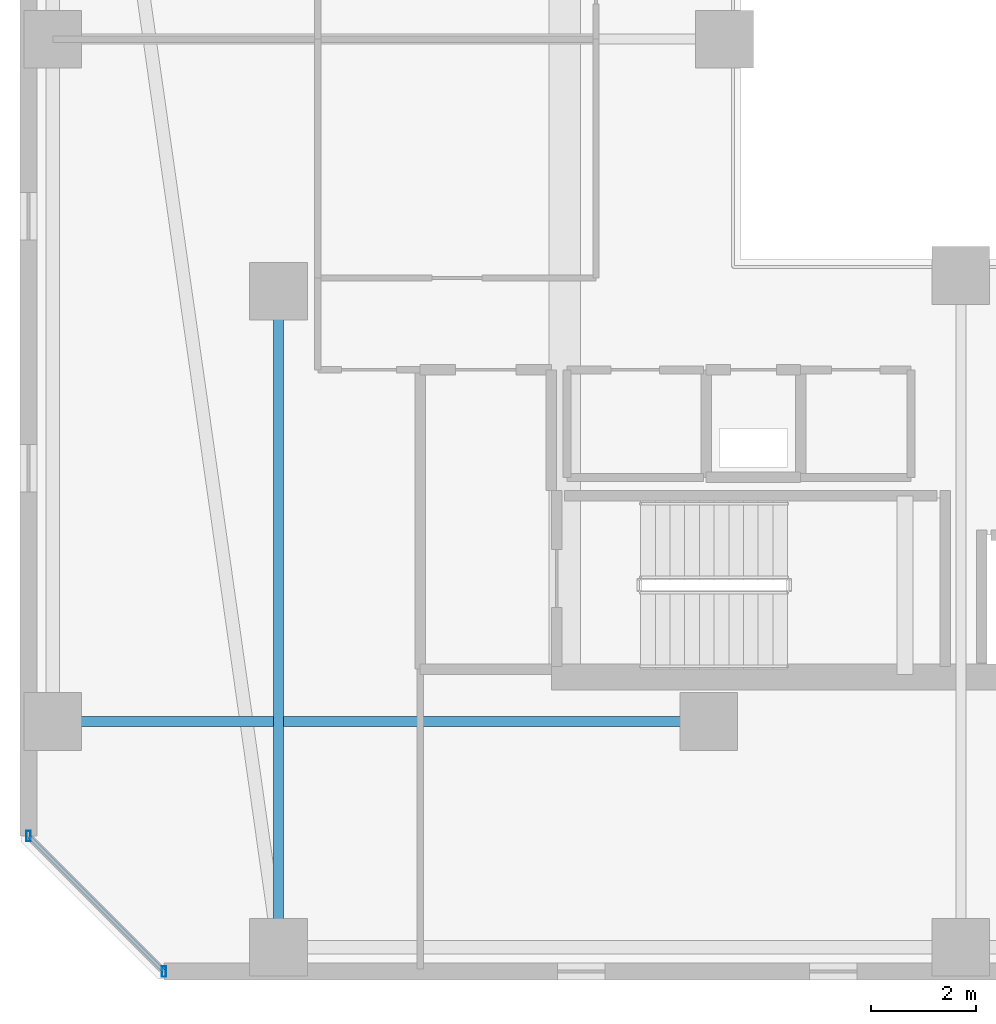
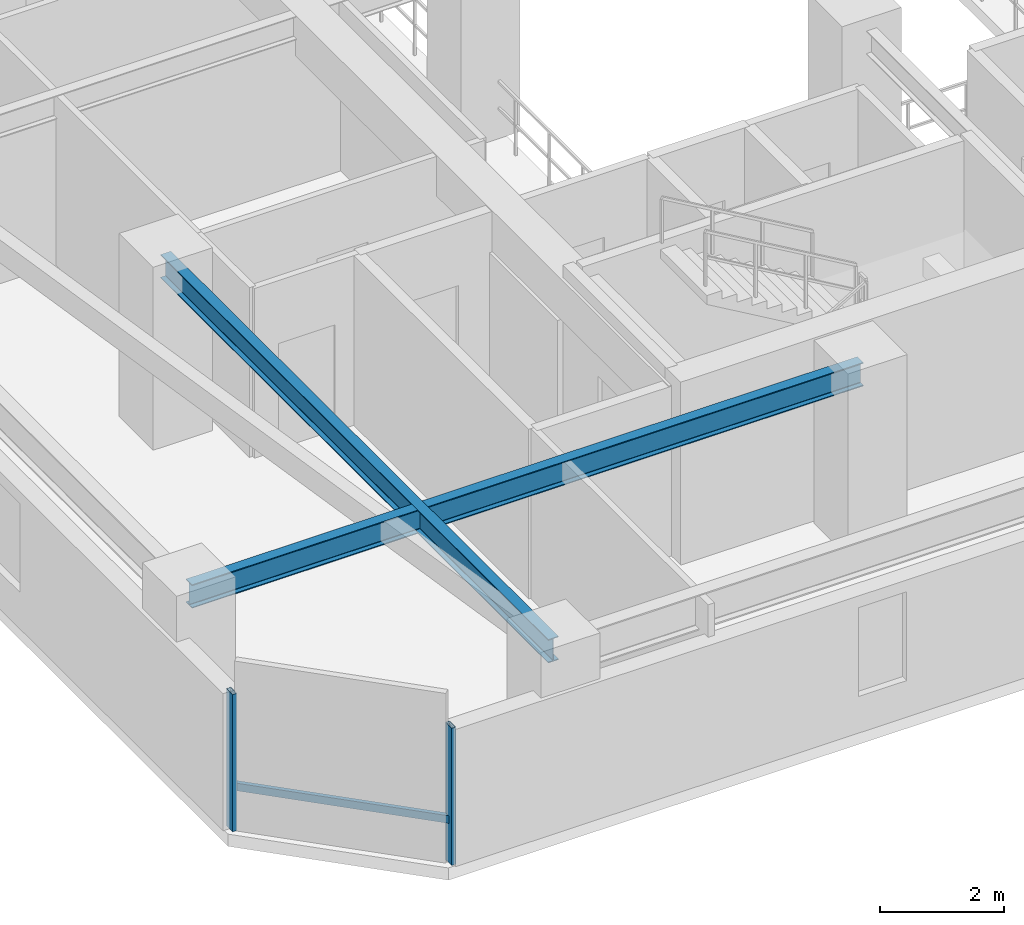
# One storey, part 3 of 33: 3 members, 2 beams, 1 element without a shape of its own.
"""IFC4 building model written with IfcOpenShell, lengths in metres."""

from ifc_helpers import new_model, si_unit, direction, frame, origin, origin_2d, place, context, subcontext, project, spatial, hollow_rectangle, i_section, extrude, material, material_profile, profile_set, type_object, element, aggregate, save


model = new_model("IFC4")

# Units and contexts
model_context = context("Model", 3, precision=1e-05, world=origin(), true_north=direction((0.0, 1.0)))
body_context = subcontext(model_context, "Body", "Model", "MODEL_VIEW")
ifc_project = project(units=[si_unit("LENGTHUNIT", "METRE"), si_unit("AREAUNIT", "SQUARE_METRE"), si_unit("VOLUMEUNIT", "CUBIC_METRE"), si_unit("PLANEANGLEUNIT", "RADIAN"), si_unit("MASSUNIT", "GRAM", prefix="KILO")], contexts=[model_context])

# Site, building, storey
site_placement = place(None, origin())
site = spatial("IfcSite", under=ifc_project, at=site_placement, CompositionType="ELEMENT")
building_placement = place(site_placement, origin())
building = spatial("IfcBuilding", under=site, at=building_placement, Name="Thornwick Lancets Civic Towers", CompositionType="ELEMENT")
storey_placement = place(building_placement, frame((0.0, 0.0, 192.89990234375)))
storey = spatial("IfcBuildingStorey", under=building, at=storey_placement, Name="L51", CompositionType="ELEMENT", Elevation=192.89990234375)

# Beams
ifc_material_1 = material(Name="Steel S355JR", Category="steel")
ifc_material_profile_1 = material_profile(ifc_material_1, i_section(OverallWidth=0.19189453125, OverallDepth=0.46337890625, WebThickness=0.010498046875, FlangeThickness=0.017578125, FilletRadius=0.01025390625, at=origin_2d()), Name="UKB 457x191x89")
ifc_profile_set_1 = profile_set([ifc_material_profile_1], Name="Steel S355JR")
beam_type = type_object("IfcBeamType", Name="BM_JOIST_457_89", PredefinedType="JOIST", material=ifc_profile_set_1)
for number, where, z_axis, x_axis, name in (
    (1, (12.5, 22.199951171875, 3.12841796875), (0.0, -1.0, 0.0), (1.0, 0.0, 0.0), "BM-RADIN-L51-A01"),
    (2, (20.699951171875, 14.0, 3.12841796875), (-1.0, 0.0, 0.0), (0.0, -1.0, 0.0), "BM-RADIN-L51-A10"),
):
    element("IfcBeam", number, at=place(storey_placement, frame(where, z_axis=z_axis, x_axis=x_axis)), inside=storey, type_object=beam_type, Name=name, PredefinedType="JOIST", context=body_context, shape_type="SweptSolid", body=[
        extrude(i_section(OverallWidth=0.19189453125, OverallDepth=0.46337890625, WebThickness=0.010498046875, FlangeThickness=0.017578125, FilletRadius=0.01025390625, at=origin_2d()), origin(), (0.0, 0.0, 1.0), 12.5),
    ])

# Curtain wall, members
ifc_material_2 = material(Name="Mid-zone chamfered-corner unitised glass curtain wall", Category="glass")
curtain_wall_type = type_object("IfcCurtainWallType", Name="CW_SYS_04", PredefinedType="NOTDEFINED", material=ifc_material_2)
curtain_wall_placement = place(storey_placement, origin())
curtain_wall = element("IfcCurtainWall", 3, at=curtain_wall_placement, inside=storey, type_object=curtain_wall_type, Name="L51 Curtain Wall CW-L51-A-E7", PredefinedType="NOTDEFINED")
ifc_material_3 = material(Name="Thermally broken bronze aluminium S355", Category="steel")
ifc_material_profile_2 = material_profile(ifc_material_3, hollow_rectangle(XDim=0.080078125, YDim=0.199951171875, WallThickness=0.006103515625, at=origin_2d()), Name="RHS 200x80x6")
ifc_profile_set_2 = profile_set([ifc_material_profile_2], Name="Thermally broken bronze aluminium S355")
member_type_1 = type_object("IfcMemberType", Name="CW_MUL_200", PredefinedType="MULLION", material=ifc_profile_set_2)
member_1_placement = place(storey_placement, frame((7.7353515625, 11.818603515625, 0.0), z_axis=(0.0, 0.0, 1.0), x_axis=(1.0, 0.0, 0.0)))
member_1 = element("IfcMember", 4, at=member_1_placement, type_object=member_type_1, Name="CW-L51-A-E7 Mullion 0", PredefinedType="MULLION", context=body_context, shape_type="SweptSolid", body=[
    extrude(hollow_rectangle(XDim=0.080078125, YDim=0.199951171875, WallThickness=0.006103515625, at=origin_2d()), origin(), (0.0, 0.0, 1.0), 2.7001953125),
])
member_2_placement = place(storey_placement, frame((10.318603515625, 9.2353515625, 0.0), z_axis=(0.0, 0.0, 1.0), x_axis=(1.0, 0.0, 0.0)))
member_2 = element("IfcMember", 5, at=member_2_placement, type_object=member_type_1, Name="CW-L51-A-E7 Mullion 1", PredefinedType="MULLION", context=body_context, shape_type="SweptSolid", body=[
    extrude(hollow_rectangle(XDim=0.080078125, YDim=0.199951171875, WallThickness=0.006103515625, at=origin_2d()), origin(), (0.0, 0.0, 1.0), 2.7001953125),
])
ifc_material_profile_3 = material_profile(ifc_material_3, hollow_rectangle(XDim=0.074951171875, YDim=0.14990234375, WallThickness=0.0048828125, at=origin_2d()), Name="RHS 150x75x5")
ifc_profile_set_3 = profile_set([ifc_material_profile_3], Name="Thermally broken bronze aluminium S355")
member_type_2 = type_object("IfcMemberType", Name="CW_TRN_150", PredefinedType="USERDEFINED", material=ifc_profile_set_3)
member_3_placement = place(storey_placement, frame((7.74951171875, 11.804443359375, 0.85009765625), z_axis=(0.707106781187, -0.707106781187, 0.0), x_axis=(0.707106781187, 0.707106781187, 0.0)))
member_3 = element("IfcMember", 6, at=member_3_placement, type_object=member_type_2, Name="CW-L51-A-E7 Transom 0", ObjectType="TRANSOM", PredefinedType="USERDEFINED", context=body_context, shape_type="SweptSolid", body=[
    extrude(hollow_rectangle(XDim=0.074951171875, YDim=0.14990234375, WallThickness=0.0048828125, at=origin_2d()), origin(), (0.0, 0.0, 1.0), 3.61328125),
])
aggregate(curtain_wall, [member_1, member_2, member_3])

save(model, "model.ifc")
